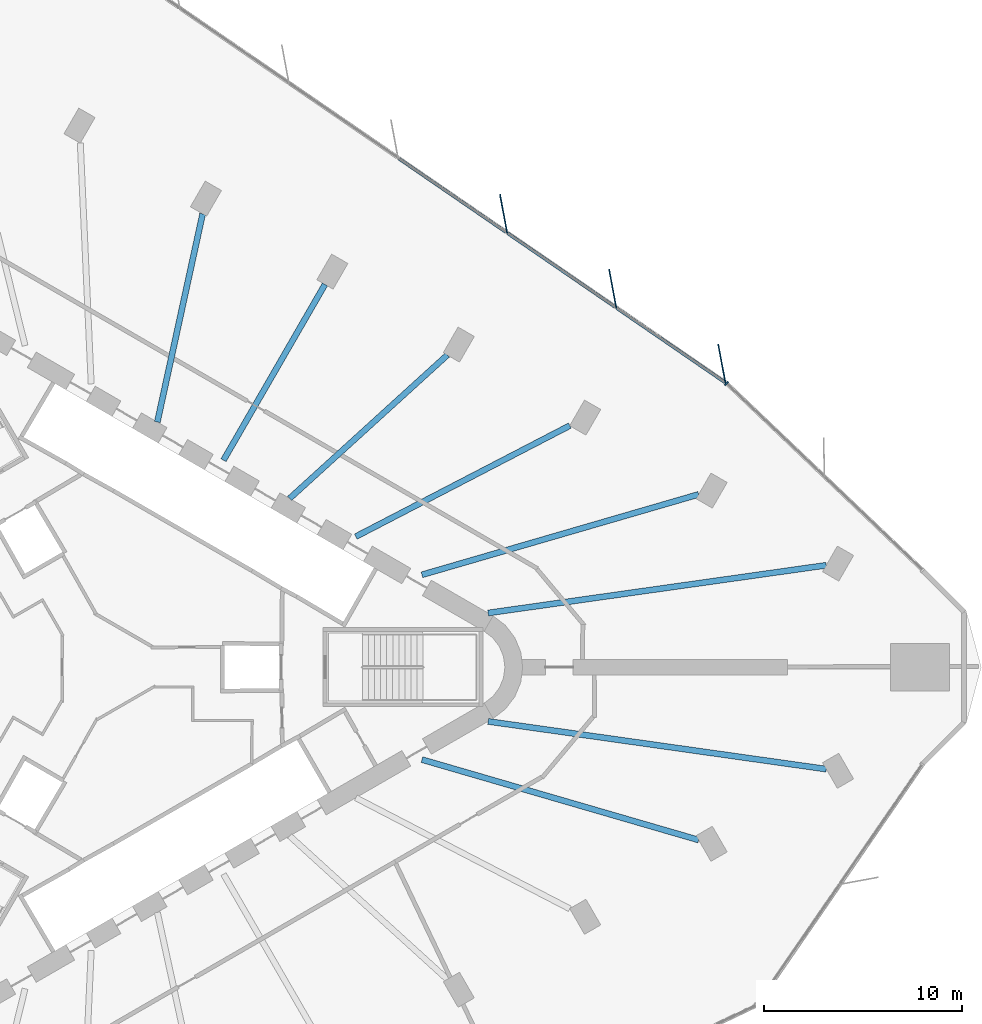
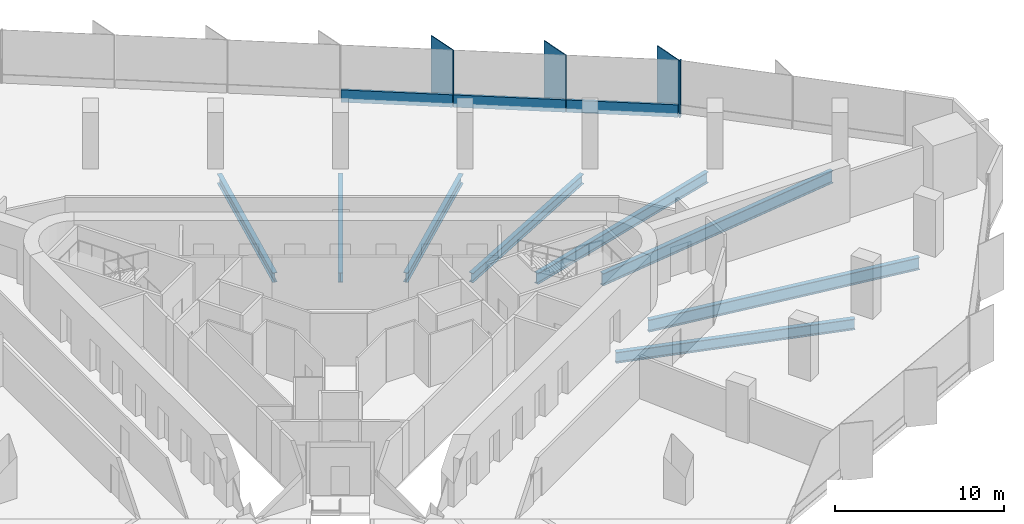
# One storey, part 5 of 14: 8 beams, 7 members, 2 elements without a shape of their own.
"""IFC4 building model written with IfcOpenShell, lengths in metres."""

from ifc_helpers import new_model, si_unit, direction, frame, origin, origin_2d, place, context, subcontext, project, spatial, rectangle, i_section, extrude, material, material_profile, profile_set, type_object, element, aggregate, save


model = new_model("IFC4")

# Units and contexts
model_context = context("Model", 3, precision=1e-05, world=origin(), true_north=direction((0.0, 1.0)))
body_context = subcontext(model_context, "Body", "Model", "MODEL_VIEW")
ifc_project = project(units=[si_unit("LENGTHUNIT", "METRE"), si_unit("AREAUNIT", "SQUARE_METRE"), si_unit("VOLUMEUNIT", "CUBIC_METRE"), si_unit("PLANEANGLEUNIT", "RADIAN"), si_unit("MASSUNIT", "GRAM", prefix="KILO")], contexts=[model_context])

# Site, building, storey
site_placement = place(None, origin())
site = spatial("IfcSite", under=ifc_project, at=site_placement, CompositionType="ELEMENT")
building_placement = place(site_placement, origin())
building = spatial("IfcBuilding", under=site, at=building_placement, Name="Tanit Gate Tower", CompositionType="ELEMENT")
storey_placement = place(building_placement, frame((0.0, 0.0, 90.60009765625)))
storey = spatial("IfcBuildingStorey", under=building, at=storey_placement, Name="L18", CompositionType="ELEMENT", Elevation=90.60009765625)

# Curtain wall, members
ifc_material_1 = material(Name="Aluminium bronze anodised and glass", Category="aluminium")
curtain_wall_type = type_object("IfcCurtainWallType", Name="Curtain wall typical low", PredefinedType="NOTDEFINED", material=ifc_material_1)
curtain_wall_1_placement = place(storey_placement, origin())
curtain_wall_1 = element("IfcCurtainWall", 1, at=curtain_wall_1_placement, inside=storey, type_object=curtain_wall_type, Name="Curtain wall L18 NE2", PredefinedType="NOTDEFINED")
ifc_material_2 = material(Name="Aluminium bronze anodised", Category="aluminium")
ifc_material_profile_1 = material_profile(ifc_material_2, rectangle(XDim=2.0, YDim=0.055908203125, at=origin_2d()), Name="56x2000 bronze fin mullion")
ifc_profile_set_1 = profile_set([ifc_material_profile_1], Name="Aluminium bronze anodised")
member_type_1 = type_object("IfcMemberType", Name="FIN MULLION 56x2000 bronze", PredefinedType="MULLION", material=ifc_profile_set_1)
member_1_placement = place(storey_placement, frame((31.282470703125, 15.37060546875, -0.300048828125), z_axis=(0.0, 0.0, 1.0), x_axis=(0.182983013261, -0.983116074967, 0.0)))
member_1 = element("IfcMember", 2, at=member_1_placement, type_object=member_type_1, Name="Fin mullion L18 NE2.1", PredefinedType="MULLION", context=body_context, shape_type="SweptSolid", body=[
    extrude(rectangle(XDim=2.0, YDim=0.055908203125, at=origin_2d()), origin(), (0.0, 0.0, 1.0), 4.099853515625),
])
member_2_placement = place(storey_placement, frame((25.7578125, 19.161376953125, -0.300048828125), z_axis=(0.0, 0.0, 1.0), x_axis=(0.182983013261, -0.983116074967, 0.0)))
member_2 = element("IfcMember", 3, at=member_2_placement, type_object=member_type_1, Name="Fin mullion L18 NE2.2", PredefinedType="MULLION", context=body_context, shape_type="SweptSolid", body=[
    extrude(rectangle(XDim=2.0, YDim=0.055908203125, at=origin_2d()), origin(), (0.0, 0.0, 1.0), 4.099853515625),
])
member_3_placement = place(storey_placement, frame((20.233154296875, 22.9521484375, -0.300048828125), z_axis=(0.0, 0.0, 1.0), x_axis=(0.182983013261, -0.983116074967, 0.0)))
member_3 = element("IfcMember", 4, at=member_3_placement, type_object=member_type_1, Name="Fin mullion L18 NE2.3", PredefinedType="MULLION", context=body_context, shape_type="SweptSolid", body=[
    extrude(rectangle(XDim=2.0, YDim=0.055908203125, at=origin_2d()), origin(), (0.0, 0.0, 1.0), 4.099853515625),
])

# Curtain wall, member
curtain_wall_2_placement = place(storey_placement, origin())
curtain_wall_2 = element("IfcCurtainWall", 5, at=curtain_wall_2_placement, inside=storey, type_object=curtain_wall_type, Name="Curtain wall L18 NE1", PredefinedType="NOTDEFINED")
ifc_material_3 = material(Name="Aluminium bronze anodised", Category="aluminium")
ifc_material_profile_2 = material_profile(ifc_material_3, rectangle(XDim=0.239990234375, YDim=0.080078125, at=origin_2d()), Name="80x240 bronze mullion")
ifc_profile_set_2 = profile_set([ifc_material_profile_2], Name="Aluminium bronze anodised")
member_type_2 = type_object("IfcMemberType", Name="Mullion 80x240 typical low", PredefinedType="MULLION", material=ifc_profile_set_2)
member_4_placement = place(storey_placement, frame((31.5234375, 14.359375, -0.300048828125), z_axis=(0.0, 0.0, 1.0), x_axis=(-0.689974262306, -0.723833901773, 0.0)))
member_4 = element("IfcMember", 6, at=member_4_placement, type_object=member_type_2, Name="Mullion L18 NE1.3", PredefinedType="MULLION", context=body_context, shape_type="SweptSolid", body=[
    extrude(rectangle(XDim=0.239990234375, YDim=0.080078125, at=origin_2d()), origin(), (0.0, 0.0, 1.0), 4.099853515625),
])
aggregate(curtain_wall_2, [member_4])

# Beams
ifc_material_4 = material(Name="Steel S355", Category="steel")
ifc_material_profile_3 = material_profile(ifc_material_4, i_section(OverallWidth=0.300048828125, OverallDepth=0.68994140625, WebThickness=0.014404296875, FlangeThickness=0.027099609375, FilletRadius=0.027099609375, at=origin_2d()), Name="HEA 700")
ifc_profile_set_3 = profile_set([ifc_material_profile_3], Name="Steel S355")
beam_type_1 = type_object("IfcBeamType", Name="RADIAL GIRDER HEA 700 S355", PredefinedType="BEAM", material=ifc_profile_set_3)
beam_1_placement = place(storey_placement, frame((23.5830078125, 12.23095703125, -0.64501953125), z_axis=(-0.887710923004, -0.460401256709, 0.0), x_axis=(0.460401256709, -0.887710923004, 0.0)))
element("IfcBeam", 7, at=beam_1_placement, inside=storey, type_object=beam_type_1, Name="RADIAL GIRDER", PredefinedType="BEAM", context=body_context, shape_type="SweptSolid", body=[
    extrude(i_section(OverallWidth=0.300048828125, OverallDepth=0.68994140625, WebThickness=0.014404296875, FlangeThickness=0.027099609375, FilletRadius=0.027099609375, at=origin_2d()), origin(), (0.0, 0.0, 1.0), 12.20263671875),
])
beam_2_placement = place(storey_placement, frame((17.382080078125, 15.802978515625, -0.64501953125), z_axis=(-0.739917542408, -0.67269757725, 0.0), x_axis=(0.67269757725, -0.739917542408, 0.0)))
element("IfcBeam", 8, at=beam_2_placement, inside=storey, type_object=beam_type_1, Name="RADIAL GIRDER", PredefinedType="BEAM", context=body_context, shape_type="SweptSolid", body=[
    extrude(i_section(OverallWidth=0.300048828125, OverallDepth=0.68994140625, WebThickness=0.014404296875, FlangeThickness=0.027099609375, FilletRadius=0.027099609375, at=origin_2d()), origin(), (0.0, 0.0, 1.0), 10.786865234375),
])
beam_3_placement = place(storey_placement, frame((11.1884765625, 19.37890625, -0.64501953125), z_axis=(-0.500005608904, -0.866022165458, 0.0), x_axis=(0.866022165458, -0.500005608904, 0.0)))
element("IfcBeam", 9, at=beam_3_placement, inside=storey, type_object=beam_type_1, Name="RADIAL GIRDER", PredefinedType="BEAM", context=body_context, shape_type="SweptSolid", body=[
    extrude(i_section(OverallWidth=0.300048828125, OverallDepth=0.68994140625, WebThickness=0.014404296875, FlangeThickness=0.027099609375, FilletRadius=0.027099609375, at=origin_2d()), origin(), (0.0, 0.0, 1.0), 10.27490234375),
])
beam_4_placement = place(storey_placement, frame((4.994873046875, 22.95458984375, -0.64501953125), z_axis=(-0.212619451543, -0.977135082179, 0.0), x_axis=(0.977135082179, -0.212619451543, 0.0)))
element("IfcBeam", 10, at=beam_4_placement, inside=storey, type_object=beam_type_1, Name="RADIAL GIRDER", PredefinedType="BEAM", context=body_context, shape_type="SweptSolid", body=[
    extrude(i_section(OverallWidth=0.300048828125, OverallDepth=0.68994140625, WebThickness=0.014404296875, FlangeThickness=0.027099609375, FilletRadius=0.027099609375, at=origin_2d()), origin(), (0.0, 0.0, 1.0), 10.78662109375),
])
ifc_material_5 = material(Name="Steel S355", Category="steel")
ifc_material_profile_4 = material_profile(ifc_material_5, i_section(OverallWidth=0.300048828125, OverallDepth=0.7900390625, WebThickness=0.014892578125, FlangeThickness=0.028076171875, FilletRadius=0.030029296875, at=origin_2d()), Name="HEA 800")
ifc_profile_set_4 = profile_set([ifc_material_profile_4], Name="Steel S355")
beam_type_2 = type_object("IfcBeamType", Name="RADIAL GIRDER HEA 800 S355", PredefinedType="BEAM", material=ifc_profile_set_4)
for number, where, z_axis, x_axis, name in (
    (11, (30.10791015625, -8.749755859375, -0.695068359375), (-0.960267984026, 0.279079556498, 0.0), (-0.279079556498, -0.960267984026, 0.0), "RADIAL GIRDER"),
    (12, (30.10791015625, 8.749755859375, -0.695068359375), (-0.960267984026, -0.279079556498, 0.0), (0.279079556498, -0.960267984026, 0.0), "RADIAL GIRDER"),
):
    element("IfcBeam", number, at=place(storey_placement, frame(where, z_axis=z_axis, x_axis=x_axis)), inside=storey, type_object=beam_type_2, Name=name, PredefinedType="BEAM", context=body_context, shape_type="SweptSolid", body=[
        extrude(i_section(OverallWidth=0.300048828125, OverallDepth=0.7900390625, WebThickness=0.014892578125, FlangeThickness=0.028076171875, FilletRadius=0.030029296875, at=origin_2d()), origin(), (0.0, 0.0, 1.0), 14.58740234375),
    ])
ifc_material_6 = material(Name="Steel S355", Category="steel")
ifc_material_profile_5 = material_profile(ifc_material_6, i_section(OverallWidth=0.300048828125, OverallDepth=0.889892578125, WebThickness=0.01611328125, FlangeThickness=0.030029296875, FilletRadius=0.030029296875, at=origin_2d()), Name="HEA 900")
ifc_profile_set_5 = profile_set([ifc_material_profile_5], Name="Steel S355")
beam_type_3 = type_object("IfcBeamType", Name="RADIAL GIRDER HEA 900 S355", PredefinedType="BEAM", material=ifc_profile_set_5)
for number, where, z_axis, x_axis, name in (
    (13, (36.571044921875, -5.1611328125, -0.7451171875), (-0.990188099662, 0.139740929178, 0.0), (-0.139740929178, -0.990188099662, 0.0), "RADIAL GIRDER"),
    (14, (36.571044921875, 5.1611328125, -0.7451171875), (-0.990188099662, -0.139740929178, 0.0), (0.139740929178, -0.990188099662, 0.0), "RADIAL GIRDER"),
):
    element("IfcBeam", number, at=place(storey_placement, frame(where, z_axis=z_axis, x_axis=x_axis)), inside=storey, type_object=beam_type_3, Name=name, PredefinedType="BEAM", context=body_context, shape_type="SweptSolid", body=[
        extrude(i_section(OverallWidth=0.300048828125, OverallDepth=0.889892578125, WebThickness=0.01611328125, FlangeThickness=0.030029296875, FilletRadius=0.030029296875, at=origin_2d()), origin(), (0.0, 0.0, 1.0), 17.291015625),
    ])

# Member
ifc_material_7 = material(Name="Aluminium bronze anodised", Category="aluminium")
ifc_material_profile_6 = material_profile(ifc_material_7, rectangle(XDim=0.159912109375, YDim=0.89990234375, at=origin_2d()), Name="160x900 bronze transom")
ifc_profile_set_6 = profile_set([ifc_material_profile_6], Name="Aluminium bronze anodised")
member_type_3 = type_object("IfcMemberType", Name="Transom 160x900 typical low", PredefinedType="USERDEFINED", material=ifc_profile_set_6)
member_5_placement = place(storey_placement, frame((31.428466796875, 14.432373046875, 0.14990234375), z_axis=(-0.824572049621, 0.565756957522, 0.0), x_axis=(-0.565756957522, -0.824572049621, 0.0)))
member_5 = element("IfcMember", 15, at=member_5_placement, type_object=member_type_3, Name="Transom L18 NE2.1", ObjectType="TRANSOM", PredefinedType="USERDEFINED", context=body_context, shape_type="SweptSolid", body=[
    extrude(rectangle(XDim=0.159912109375, YDim=0.89990234375, at=origin_2d()), origin(), (0.0, 0.0, 1.0), 6.6201171875),
])

member_6_placement = place(storey_placement, frame((25.90380859375, 18.22314453125, 0.14990234375), z_axis=(-0.824554845388, 0.565782031305, 0.0), x_axis=(-0.565782031305, -0.824554845388, 0.0)))
member_6 = element("IfcMember", 16, at=member_6_placement, type_object=member_type_3, Name="Transom L18 NE2.2", ObjectType="TRANSOM", PredefinedType="USERDEFINED", context=body_context, shape_type="SweptSolid", body=[
    extrude(rectangle(XDim=0.159912109375, YDim=0.89990234375, at=origin_2d()), origin(), (0.0, 0.0, 1.0), 6.6201171875),
])

member_7_placement = place(storey_placement, frame((20.379150390625, 22.013916015625, 0.14990234375), z_axis=(-0.824554845388, 0.565782031305, 0.0), x_axis=(-0.565782031305, -0.824554845388, 0.0)))
member_7 = element("IfcMember", 17, at=member_7_placement, type_object=member_type_3, Name="Transom L18 NE2.3", ObjectType="TRANSOM", PredefinedType="USERDEFINED", context=body_context, shape_type="SweptSolid", body=[
    extrude(rectangle(XDim=0.159912109375, YDim=0.89990234375, at=origin_2d()), origin(), (0.0, 0.0, 1.0), 6.6201171875),
])

aggregate(curtain_wall_1, [member_1, member_2, member_3, member_5, member_6, member_7])

save(model, "model.ifc")
